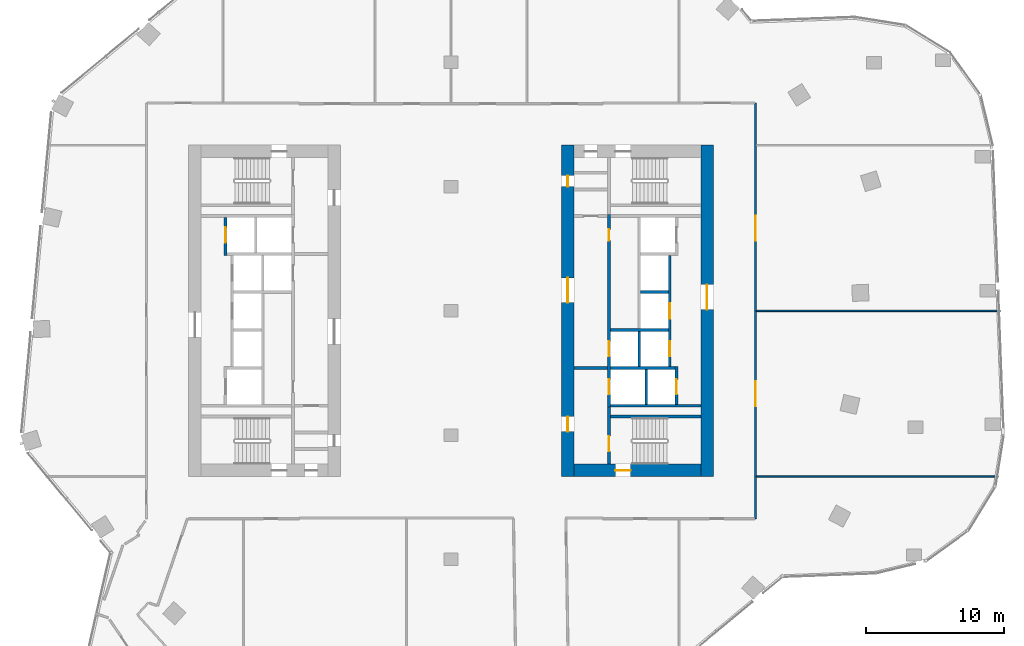
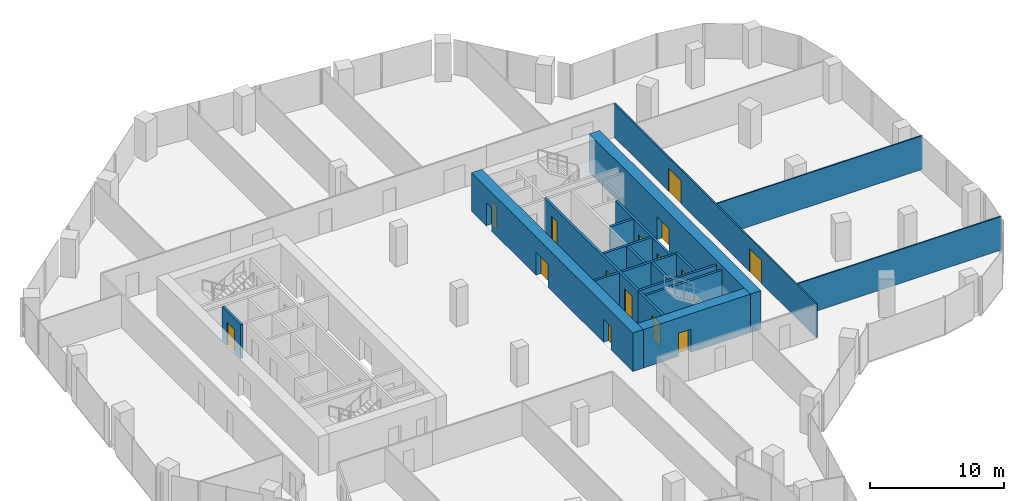
# One storey, part 21 of 24: 19 walls, 15 doors, 15 openings.
"""IFC4 building model written with IfcOpenShell, lengths in metres."""

from ifc_helpers import new_model, si_unit, direction, frame, frame_2d, origin, place, context, subcontext, project, spatial, rectangle, extrude, material, layer, layer_set, type_object, element, fill, save


model = new_model("IFC4")

# Units and contexts
model_context = context("Model", 3, precision=1e-05, world=origin(), true_north=direction((0.0, 1.0)))
body_context = subcontext(model_context, "Body", "Model", "MODEL_VIEW")
ifc_project = project(units=[si_unit("LENGTHUNIT", "METRE"), si_unit("AREAUNIT", "SQUARE_METRE"), si_unit("VOLUMEUNIT", "CUBIC_METRE"), si_unit("PLANEANGLEUNIT", "RADIAN"), si_unit("MASSUNIT", "GRAM", prefix="KILO")], contexts=[model_context])

# Site, building, storey
site_placement = place(None, origin())
site = spatial("IfcSite", under=ifc_project, at=site_placement, CompositionType="ELEMENT")
building_placement = place(site_placement, origin())
building = spatial("IfcBuilding", under=site, at=building_placement, Name="Orlundy Tower", CompositionType="ELEMENT")
storey_placement = place(building_placement, frame((0.0, 0.0, 174.10009765625)))
storey = spatial("IfcBuildingStorey", under=building, at=storey_placement, Name="L45", CompositionType="ELEMENT", Elevation=174.10009765625)

# Wall, opening, door
ifc_material_1 = material(Name="Concrete C70/85", Category="concrete")
ifc_layer_1 = layer(ifc_material_1, 0.89990234375)
ifc_layer_set_1 = layer_set([ifc_layer_1], Name="CORE WALL 900 C70/85")
wall_type_1 = type_object("IfcWallType", Name="CORE WALL 900 C70/85", PredefinedType="SHEAR", material=ifc_layer_set_1)
wall_1_placement = place(storey_placement, frame((8.89990234375, -11.550048828125, 0.0), z_axis=(0.0, 0.0, 1.0), x_axis=(1.0, 0.0, 0.0)))
wall_1 = element("IfcWall", 1, at=wall_1_placement, inside=storey, type_object=wall_type_1, Name="Core wall E-S L45", PredefinedType="SHEAR", context=body_context, shape_type="SweptSolid", body=[
    extrude(rectangle(XDim=9.2001953125, YDim=0.89990234375, at=frame_2d((4.60009765625, 0.0))), origin(), (0.0, 0.0, 1.0), 3.5),
])
opening_1_placement = place(wall_1_placement, frame((3.0, 0.0, 0.0)))
opening_1 = element("IfcOpeningElement", 2, at=opening_1_placement, cuts=wall_1, Name="Opening 35060", PredefinedType="OPENING", context=body_context, shape_type="SweptSolid", body=[
    extrude(rectangle(XDim=1.10009765625, YDim=2.10009765625, at=frame_2d((0.550048828125, 1.050048828125))), frame((0.0, 0.4599609375, 0.0), z_axis=(0.0, -1.0, 0.0), x_axis=(1.0, 0.0, 0.0)), (0.0, 0.0, 1.0), 0.919921875),
])
ifc_material_2 = material(Name="Steel door set", Category="steel")
door_type_1 = type_object("IfcDoorType", Name="Stair Door 1100x2100", OperationType="SINGLE_SWING_LEFT", PredefinedType="DOOR", material=ifc_material_2)
door_1_placement = place(opening_1_placement, origin())
door_1 = element("IfcDoor", 3, at=door_1_placement, inside=storey, type_object=door_type_1, Name="Stair door 35060", OperationType="SINGLE_SWING_LEFT", OverallHeight=2.10009765625, OverallWidth=1.10009765625, PredefinedType="DOOR", context=body_context, shape_type="SweptSolid", body=[
    extrude(rectangle(XDim=1.10009765625, YDim=2.10009765625, at=frame_2d((0.550048828125, 1.050048828125))), frame((0.0, 0.02490234375, 0.0), z_axis=(0.0, -1.0, 0.0), x_axis=(1.0, 0.0, 0.0)), (0.0, 0.0, 1.0), 0.050048828125),
])
fill(opening_1, door_1)

# Wall, openings, doors
wall_2_placement = place(storey_placement, frame((8.449951171875, -12.0, 0.0), z_axis=(0.0, 0.0, 1.0), x_axis=(0.0, 1.0, 0.0)))
wall_2 = element("IfcWall", 4, at=wall_2_placement, inside=storey, type_object=wall_type_1, Name="Core wall E-W L45", PredefinedType="SHEAR", context=body_context, shape_type="SweptSolid", body=[
    extrude(rectangle(XDim=24.0, YDim=0.89990234375, at=frame_2d((12.0, 0.0))), origin(), (0.0, 0.0, 1.0), 3.5),
])
opening_2_placement = place(wall_2_placement, frame((12.60009765625, 0.0, 0.0)))
opening_2 = element("IfcOpeningElement", 5, at=opening_2_placement, cuts=wall_2, Name="Opening 35057", PredefinedType="OPENING", context=body_context, shape_type="SweptSolid", body=[
    extrude(rectangle(XDim=1.800048828125, YDim=2.10009765625, at=frame_2d((0.89990234375, 1.050048828125))), frame((0.0, 0.4599609375, 0.0), z_axis=(0.0, -1.0, 0.0), x_axis=(1.0, 0.0, 0.0)), (0.0, 0.0, 1.0), 0.919921875),
])
opening_3_placement = place(wall_2_placement, frame((3.25, 0.0, 0.0)))
opening_3 = element("IfcOpeningElement", 6, at=opening_3_placement, cuts=wall_2, Name="Opening 35059", PredefinedType="OPENING", context=body_context, shape_type="SweptSolid", body=[
    extrude(rectangle(XDim=1.10009765625, YDim=2.10009765625, at=frame_2d((0.550048828125, 1.050048828125))), frame((0.0, 0.4599609375, 0.0), z_axis=(0.0, -1.0, 0.0), x_axis=(1.0, 0.0, 0.0)), (0.0, 0.0, 1.0), 0.919921875),
])
opening_4_placement = place(wall_2_placement, frame((21.0, 0.0, 0.0)))
opening_4 = element("IfcOpeningElement", 7, at=opening_4_placement, cuts=wall_2, Name="Opening 35064", PredefinedType="OPENING", context=body_context, shape_type="SweptSolid", body=[
    extrude(rectangle(XDim=0.800048828125, YDim=2.10009765625, at=frame_2d((0.39990234375, 1.050048828125))), frame((0.0, 0.4599609375, 0.0), z_axis=(0.0, -1.0, 0.0), x_axis=(1.0, 0.0, 0.0)), (0.0, 0.0, 1.0), 0.919921875),
])
ifc_material_3 = material(Name="Steel door set", Category="steel")
door_type_2 = type_object("IfcDoorType", Name="Fire-fighting Lobby Door 1100x2100", OperationType="SINGLE_SWING_LEFT", PredefinedType="DOOR", material=ifc_material_3)
door_2_placement = place(opening_3_placement, origin())
door_2 = element("IfcDoor", 8, at=door_2_placement, inside=storey, type_object=door_type_2, Name="Fire-fighting lobby door 35059", OperationType="SINGLE_SWING_LEFT", OverallHeight=2.10009765625, OverallWidth=1.10009765625, PredefinedType="DOOR", context=body_context, shape_type="SweptSolid", body=[
    extrude(rectangle(XDim=1.10009765625, YDim=2.10009765625, at=frame_2d((0.550048828125, 1.050048828125))), frame((0.0, 0.02490234375, 0.0), z_axis=(0.0, -1.0, 0.0), x_axis=(1.0, 0.0, 0.0)), (0.0, 0.0, 1.0), 0.050048828125),
])
fill(opening_3, door_2)
ifc_material_4 = material(Name="Timber door set", Category="wood")
door_type_3 = type_object("IfcDoorType", Name="Lobby Door 1800x2100", OperationType="DOUBLE_DOOR_DOUBLE_SWING", PredefinedType="DOOR", material=ifc_material_4)
door_3_placement = place(opening_2_placement, origin())
door_3 = element("IfcDoor", 9, at=door_3_placement, inside=storey, type_object=door_type_3, Name="Lift lobby door 35057", OperationType="SINGLE_SWING_RIGHT", OverallHeight=2.10009765625, OverallWidth=1.800048828125, PredefinedType="DOOR", context=body_context, shape_type="SweptSolid", body=[
    extrude(rectangle(XDim=1.800048828125, YDim=2.10009765625, at=frame_2d((0.89990234375, 1.050048828125))), frame((0.0, 0.02490234375, 0.0), z_axis=(0.0, -1.0, 0.0), x_axis=(1.0, 0.0, 0.0)), (0.0, 0.0, 1.0), 0.050048828125),
])
fill(opening_2, door_3)
ifc_material_5 = material(Name="Timber door set", Category="wood")
door_type_4 = type_object("IfcDoorType", Name="Riser Door 800x2100", OperationType="SINGLE_SWING_LEFT", PredefinedType="DOOR", material=ifc_material_5)
door_4_placement = place(opening_4_placement, origin())
door_4 = element("IfcDoor", 10, at=door_4_placement, inside=storey, type_object=door_type_4, Name="Door 35064", OperationType="SINGLE_SWING_RIGHT", OverallHeight=2.10009765625, OverallWidth=0.800048828125, PredefinedType="DOOR", context=body_context, shape_type="SweptSolid", body=[
    extrude(rectangle(XDim=0.800048828125, YDim=2.10009765625, at=frame_2d((0.39990234375, 1.050048828125))), frame((0.0, 0.02490234375, 0.0), z_axis=(0.0, -1.0, 0.0), x_axis=(1.0, 0.0, 0.0)), (0.0, 0.0, 1.0), 0.050048828125),
])
fill(opening_4, door_4)

# Wall, opening, door
wall_3_placement = place(storey_placement, frame((18.550048828125, -12.0, 0.0), z_axis=(0.0, 0.0, 1.0), x_axis=(0.0, 1.0, 0.0)))
wall_3 = element("IfcWall", 11, at=wall_3_placement, inside=storey, type_object=wall_type_1, Name="Core wall E-E L45", PredefinedType="SHEAR", context=body_context, shape_type="SweptSolid", body=[
    extrude(rectangle(XDim=24.0, YDim=0.89990234375, at=frame_2d((12.0, 0.0))), origin(), (0.0, 0.0, 1.0), 3.5),
])
opening_5_placement = place(wall_3_placement, frame((12.10009765625, 0.0, 0.0)))
opening_5 = element("IfcOpeningElement", 12, at=opening_5_placement, cuts=wall_3, Name="Opening 35058", PredefinedType="OPENING", context=body_context, shape_type="SweptSolid", body=[
    extrude(rectangle(XDim=1.800048828125, YDim=2.10009765625, at=frame_2d((0.89990234375, 1.050048828125))), frame((0.0, 0.4599609375, 0.0), z_axis=(0.0, -1.0, 0.0), x_axis=(1.0, 0.0, 0.0)), (0.0, 0.0, 1.0), 0.919921875),
])
door_5_placement = place(opening_5_placement, origin())
door_5 = element("IfcDoor", 13, at=door_5_placement, inside=storey, type_object=door_type_3, Name="Lift lobby door 35058", OperationType="SINGLE_SWING_RIGHT", OverallHeight=2.10009765625, OverallWidth=1.800048828125, PredefinedType="DOOR", context=body_context, shape_type="SweptSolid", body=[
    extrude(rectangle(XDim=1.800048828125, YDim=2.10009765625, at=frame_2d((0.89990234375, 1.050048828125))), frame((0.0, 0.02490234375, 0.0), z_axis=(0.0, -1.0, 0.0), x_axis=(1.0, 0.0, 0.0)), (0.0, 0.0, 1.0), 0.050048828125),
])
fill(opening_5, door_5)

# Walls
ifc_material_6 = material(Name="Gypsum board partition")
ifc_layer_2 = layer(ifc_material_6, 0.10009765625)
ifc_layer_set_2 = layer_set([ifc_layer_2], Name="Floor partition 100")
wall_type_2 = type_object("IfcWallType", Name="Floor partition 100", PredefinedType="PARTITIONING", material=ifc_layer_set_2)
wall_4_placement = place(storey_placement, frame((22.113037109375, -12.0, 0.0), z_axis=(0.0, 0.0, 1.0), x_axis=(1.0, 0.0, 0.0)))
element("IfcWall", 14, at=wall_4_placement, inside=storey, type_object=wall_type_2, Name="wall-int-L45-042", PredefinedType="PARTITIONING", context=body_context, shape_type="SweptSolid", body=[
    extrude(rectangle(XDim=17.530029296875, YDim=0.10009765625, at=frame_2d((8.76513671875, 0.0))), origin(), (0.0, 0.0, 1.0), 3.059814453125),
])
wall_5_placement = place(storey_placement, frame((22.113037109375, 0.0, 0.0), z_axis=(0.0, 0.0, 1.0), x_axis=(1.0, 0.0, 0.0)))
element("IfcWall", 15, at=wall_5_placement, inside=storey, type_object=wall_type_2, Name="wall-int-L45-043", PredefinedType="PARTITIONING", context=body_context, shape_type="SweptSolid", body=[
    extrude(rectangle(XDim=17.666015625, YDim=0.10009765625, at=frame_2d((8.8330078125, 0.0))), origin(), (0.0, 0.0, 1.0), 3.059814453125),
])

# Wall, openings, doors
ifc_material_7 = material(Name="Gypsum board partition, double layer")
ifc_layer_3 = layer(ifc_material_7, 0.125)
ifc_layer_set_3 = layer_set([ifc_layer_3], Name="Floor partition 125")
wall_type_3 = type_object("IfcWallType", Name="Floor partition 125", PredefinedType="PARTITIONING", material=ifc_layer_set_3)
wall_6_placement = place(storey_placement, frame((22.051025390625, 15.050048828125, 0.0), z_axis=(0.0, 0.0, 1.0), x_axis=(0.0, -1.0, 0.0)))
wall_6 = element("IfcWall", 16, at=wall_6_placement, inside=storey, type_object=wall_type_3, Name="wall-int-L45-070", PredefinedType="PARTITIONING", context=body_context, shape_type="SweptSolid", body=[
    extrude(rectangle(XDim=30.10009765625, YDim=0.125, at=frame_2d((15.050048828125, 0.0))), origin(), (0.0, 0.0, 1.0), 3.059814453125),
])
opening_6_placement = place(wall_6_placement, frame((20.14990234375, 0.0, 0.0)))
opening_6 = element("IfcOpeningElement", 17, at=opening_6_placement, cuts=wall_6, Name="Opening 35119", PredefinedType="OPENING", context=body_context, shape_type="SweptSolid", body=[
    extrude(rectangle(XDim=1.800048828125, YDim=2.10009765625, at=frame_2d((0.89990234375, 1.050048828125))), frame((0.0, 0.072509765625, 0.0), z_axis=(0.0, -1.0, 0.0), x_axis=(1.0, 0.0, 0.0)), (0.0, 0.0, 1.0), 0.14501953125),
])
opening_7_placement = place(wall_6_placement, frame((8.14990234375, 0.0, 0.0)))
opening_7 = element("IfcOpeningElement", 18, at=opening_7_placement, cuts=wall_6, Name="Opening 35120", PredefinedType="OPENING", context=body_context, shape_type="SweptSolid", body=[
    extrude(rectangle(XDim=1.800048828125, YDim=2.10009765625, at=frame_2d((0.89990234375, 1.050048828125))), frame((0.0, 0.072509765625, 0.0), z_axis=(0.0, -1.0, 0.0), x_axis=(1.0, 0.0, 0.0)), (0.0, 0.0, 1.0), 0.14501953125),
])
ifc_material_8 = material(Name="Timber door leaf", Category="wood")
door_type_5 = type_object("IfcDoorType", Name="Floor door double 1800 FD30S", OperationType="NOTDEFINED", PredefinedType="DOOR", material=ifc_material_8)
door_6_placement = place(opening_6_placement, origin())
door_6 = element("IfcDoor", 19, at=door_6_placement, inside=storey, type_object=door_type_5, Name="Door 35119", OperationType="DOUBLE_DOOR_SINGLE_SWING", OverallHeight=2.10009765625, OverallWidth=1.800048828125, PredefinedType="DOOR", context=body_context, shape_type="SweptSolid", body=[
    extrude(rectangle(XDim=1.800048828125, YDim=2.10009765625, at=frame_2d((0.89990234375, 1.050048828125))), frame((0.0, 0.02490234375, 0.0), z_axis=(0.0, -1.0, 0.0), x_axis=(1.0, 0.0, 0.0)), (0.0, 0.0, 1.0), 0.050048828125),
])
fill(opening_6, door_6)
door_7_placement = place(opening_7_placement, origin())
door_7 = element("IfcDoor", 20, at=door_7_placement, inside=storey, type_object=door_type_5, Name="Door 35120", OperationType="DOUBLE_DOOR_SINGLE_SWING", OverallHeight=2.10009765625, OverallWidth=1.800048828125, PredefinedType="DOOR", context=body_context, shape_type="SweptSolid", body=[
    extrude(rectangle(XDim=1.800048828125, YDim=2.10009765625, at=frame_2d((0.89990234375, 1.050048828125))), frame((0.0, 0.02490234375, 0.0), z_axis=(0.0, -1.0, 0.0), x_axis=(1.0, 0.0, 0.0)), (0.0, 0.0, 1.0), 0.050048828125),
])
fill(opening_7, door_7)

# Wall, opening, door
ifc_material_9 = material(Name="Concrete C40/50", Category="concrete")
ifc_layer_4 = layer(ifc_material_9, 0.199951171875)
ifc_layer_set_4 = layer_set([ifc_layer_4], Name="Load-bearing Shaft Wall 200")
wall_type_4 = type_object("IfcWallType", Name="Load-bearing Shaft Wall 200", PredefinedType="SOLIDWALL", material=ifc_layer_set_4)
wall_7_placement = place(storey_placement, frame((11.43994140625, -6.97509765625, 0.0), z_axis=(0.0, 0.0, 1.0), x_axis=(0.0, -1.0, 0.0)))
wall_7 = element("IfcWall", 21, at=wall_7_placement, inside=storey, type_object=wall_type_4, Name="Shaft wall E35-stair-end-n", PredefinedType="SOLIDWALL", context=body_context, shape_type="SweptSolid", body=[
    extrude(rectangle(XDim=4.125, YDim=0.199951171875, at=frame_2d((2.0625, 0.0))), origin(), (0.0, 0.0, 1.0), 3.079833984375),
])
opening_8_placement = place(wall_7_placement, frame((2.10009765625, 0.0, 0.0)))
opening_8 = element("IfcOpeningElement", 22, at=opening_8_placement, cuts=wall_7, Name="Opening 35062", PredefinedType="OPENING", context=body_context, shape_type="SweptSolid", body=[
    extrude(rectangle(XDim=1.10009765625, YDim=2.10009765625, at=frame_2d((0.550048828125, 1.050048828125))), frame((0.0, 0.110107421875, 0.0), z_axis=(0.0, -1.0, 0.0), x_axis=(1.0, 0.0, 0.0)), (0.0, 0.0, 1.0), 0.22021484375),
])
door_8_placement = place(opening_8_placement, origin())
door_8 = element("IfcDoor", 23, at=door_8_placement, inside=storey, type_object=door_type_2, Name="Fire-fighting lobby to stair door 35062", OperationType="SINGLE_SWING_RIGHT", OverallHeight=2.10009765625, OverallWidth=1.10009765625, PredefinedType="DOOR", context=body_context, shape_type="SweptSolid", body=[
    extrude(rectangle(XDim=1.10009765625, YDim=2.10009765625, at=frame_2d((0.550048828125, 1.050048828125))), frame((0.0, 0.02490234375, 0.0), z_axis=(0.0, -1.0, 0.0), x_axis=(1.0, 0.0, 0.0)), (0.0, 0.0, 1.0), 0.050048828125),
])
fill(opening_8, door_8)

# Walls
wall_8_placement = place(storey_placement, frame((11.5400390625, -7.64990234375, 0.0), z_axis=(0.0, 0.0, 1.0), x_axis=(1.0, 0.0, 0.0)))
element("IfcWall", 24, at=wall_8_placement, inside=storey, type_object=wall_type_4, Name="Shaft wall E35-stair-side-n", PredefinedType="SOLIDWALL", context=body_context, shape_type="SweptSolid", body=[
    extrude(rectangle(XDim=6.56005859375, YDim=0.199951171875, at=frame_2d((3.280029296875, 0.0))), origin(), (0.0, 0.0, 1.0), 3.079833984375),
])
ifc_material_10 = material(Name="Gypsum board partition on steel studs", Category="steel")
ifc_layer_5 = layer(ifc_material_10, 0.199951171875)
ifc_layer_set_5 = layer_set([ifc_layer_5], Name="Partition 200")
wall_type_5 = type_object("IfcWallType", Name="Partition 200", PredefinedType="PARTITIONING", material=ifc_layer_set_5)
wall_9_placement = place(storey_placement, frame((8.89990234375, -4.125, 0.0), z_axis=(0.0, 0.0, 1.0), x_axis=(1.0, 0.0, 0.0)))
element("IfcWall", 25, at=wall_9_placement, inside=storey, type_object=wall_type_5, Name="Partition wall E35-lobby-n", PredefinedType="PARTITIONING", context=body_context, shape_type="SweptSolid", body=[
    extrude(rectangle(XDim=2.440185546875, YDim=0.199951171875, at=frame_2d((1.22021484375, 0.0))), origin(), (0.0, 0.0, 1.0), 3.079833984375),
])

# Wall, opening, door
ifc_material_11 = material(Name="Fire-rated blockwork shaft wall", Category="masonry")
ifc_layer_6 = layer(ifc_material_11, 0.199951171875)
ifc_layer_set_6 = layer_set([ifc_layer_6], Name="Shaft Wall 200")
wall_type_6 = type_object("IfcWallType", Name="Shaft Wall 200", PredefinedType="SOLIDWALL", material=ifc_layer_set_6)
wall_10_placement = place(storey_placement, frame((-16.340087890625, 4.02490234375, 0.0), z_axis=(0.0, 0.0, 1.0), x_axis=(0.0, 1.0, 0.0)))
wall_10 = element("IfcWall", 26, at=wall_10_placement, inside=storey, type_object=wall_type_6, Name="Shaft wall W35-front-o-c", PredefinedType="SOLIDWALL", context=body_context, shape_type="SweptSolid", body=[
    extrude(rectangle(XDim=2.75, YDim=0.199951171875, at=frame_2d((1.375, 0.0))), origin(), (0.0, 0.0, 1.0), 3.079833984375),
])
opening_9_placement = place(wall_10_placement, frame((0.925048828125, 0.0, 0.0)))
opening_9 = element("IfcOpeningElement", 27, at=opening_9_placement, cuts=wall_10, Name="Opening 35006", PredefinedType="OPENING", context=body_context, shape_type="SweptSolid", body=[
    extrude(rectangle(XDim=1.10009765625, YDim=2.10009765625, at=frame_2d((0.550048828125, 1.050048828125))), frame((0.0, 0.110107421875, 0.0), z_axis=(0.0, -1.0, 0.0), x_axis=(1.0, 0.0, 0.0)), (0.0, 0.0, 1.0), 0.22021484375),
])
ifc_material_12 = material(Name="Steel door set", Category="steel")
door_type_6 = type_object("IfcDoorType", Name="Landing Door 1100x2100", OperationType="DOUBLE_DOOR_SLIDING", PredefinedType="DOOR", material=ifc_material_12)
door_9_placement = place(opening_9_placement, origin())
door_9 = element("IfcDoor", 28, at=door_9_placement, inside=storey, type_object=door_type_6, Name="Lift landing door LP-14 35006", OperationType="DOUBLE_DOOR_SLIDING", OverallHeight=2.10009765625, OverallWidth=1.10009765625, PredefinedType="DOOR", context=body_context, shape_type="SweptSolid", body=[
    extrude(rectangle(XDim=1.10009765625, YDim=2.10009765625, at=frame_2d((0.550048828125, 1.050048828125))), frame((0.0, 0.02490234375, 0.0), z_axis=(0.0, -1.0, 0.0), x_axis=(1.0, 0.0, 0.0)), (0.0, 0.0, 1.0), 0.050048828125),
])
fill(opening_9, door_9)

# Walls
wall_11_placement = place(storey_placement, frame((11.5400390625, -6.875, 0.0), z_axis=(0.0, 0.0, 1.0), x_axis=(1.0, 0.0, 0.0)))
element("IfcWall", 29, at=wall_11_placement, inside=storey, type_object=wall_type_6, Name="Shaft wall E35-zone-n", PredefinedType="SOLIDWALL", context=body_context, shape_type="SweptSolid", body=[
    extrude(rectangle(XDim=6.56005859375, YDim=0.199951171875, at=frame_2d((3.280029296875, 0.0))), origin(), (0.0, 0.0, 1.0), 3.079833984375),
])
wall_12_placement = place(storey_placement, frame((13.739990234375, 1.375, 0.0), z_axis=(0.0, 0.0, 1.0), x_axis=(1.0, 0.0, 0.0)))
element("IfcWall", 30, at=wall_12_placement, inside=storey, type_object=wall_type_6, Name="Shaft wall E35-cross-1.375", PredefinedType="SOLIDWALL", context=body_context, shape_type="SweptSolid", body=[
    extrude(rectangle(XDim=2.0, YDim=0.199951171875, at=frame_2d((1.0, 0.0))), origin(), (0.0, 0.0, 1.0), 3.079833984375),
])
wall_13_placement = place(storey_placement, frame((11.5400390625, -1.375, 0.0), z_axis=(0.0, 0.0, 1.0), x_axis=(1.0, 0.0, 0.0)))
element("IfcWall", 31, at=wall_13_placement, inside=storey, type_object=wall_type_6, Name="Shaft wall E35-cross+1.375", PredefinedType="SOLIDWALL", context=body_context, shape_type="SweptSolid", body=[
    extrude(rectangle(XDim=4.199951171875, YDim=0.199951171875, at=frame_2d((2.10009765625, 0.0))), origin(), (0.0, 0.0, 1.0), 3.079833984375),
])
wall_14_placement = place(storey_placement, frame((11.5400390625, -4.125, 0.0), z_axis=(0.0, 0.0, 1.0), x_axis=(1.0, 0.0, 0.0)))
element("IfcWall", 32, at=wall_14_placement, inside=storey, type_object=wall_type_6, Name="Shaft wall E35-cross+4.125", PredefinedType="SOLIDWALL", context=body_context, shape_type="SweptSolid", body=[
    extrude(rectangle(XDim=4.699951171875, YDim=0.199951171875, at=frame_2d((2.35009765625, 0.0))), origin(), (0.0, 0.0, 1.0), 3.079833984375),
])

# Wall, openings, doors
wall_15_placement = place(storey_placement, frame((11.43994140625, 6.97509765625, 0.0), z_axis=(0.0, 0.0, 1.0), x_axis=(0.0, -1.0, 0.0)))
wall_15 = element("IfcWall", 33, at=wall_15_placement, inside=storey, type_object=wall_type_6, Name="Shaft wall E35-front-h", PredefinedType="SOLIDWALL", context=body_context, shape_type="SweptSolid", body=[
    extrude(rectangle(XDim=13.9501953125, YDim=0.199951171875, at=frame_2d((6.97509765625, 0.0))), origin(), (0.0, 0.0, 1.0), 3.079833984375),
])
opening_10_placement = place(wall_15_placement, frame((9.175048828125, 0.0, 0.0)))
opening_10 = element("IfcOpeningElement", 34, at=opening_10_placement, cuts=wall_15, Name="Opening 35052", PredefinedType="OPENING", context=body_context, shape_type="SweptSolid", body=[
    extrude(rectangle(XDim=1.10009765625, YDim=2.10009765625, at=frame_2d((0.550048828125, 1.050048828125))), frame((0.0, 0.110107421875, 0.0), z_axis=(0.0, -1.0, 0.0), x_axis=(1.0, 0.0, 0.0)), (0.0, 0.0, 1.0), 0.22021484375),
])
opening_11_placement = place(wall_15_placement, frame((11.925048828125, 0.0, 0.0)))
opening_11 = element("IfcOpeningElement", 35, at=opening_11_placement, cuts=wall_15, Name="Opening 35054", PredefinedType="OPENING", context=body_context, shape_type="SweptSolid", body=[
    extrude(rectangle(XDim=1.10009765625, YDim=2.10009765625, at=frame_2d((0.550048828125, 1.050048828125))), frame((0.0, 0.110107421875, 0.0), z_axis=(0.0, -1.0, 0.0), x_axis=(1.0, 0.0, 0.0)), (0.0, 0.0, 1.0), 0.22021484375),
])
opening_12_placement = place(wall_15_placement, frame((1.074951171875, 0.0, 0.0)))
opening_12 = element("IfcOpeningElement", 36, at=opening_12_placement, cuts=wall_15, Name="Opening 35056", PredefinedType="OPENING", context=body_context, shape_type="SweptSolid", body=[
    extrude(rectangle(XDim=0.800048828125, YDim=2.10009765625, at=frame_2d((0.39990234375, 1.050048828125))), frame((0.0, 0.110107421875, 0.0), z_axis=(0.0, -1.0, 0.0), x_axis=(1.0, 0.0, 0.0)), (0.0, 0.0, 1.0), 0.22021484375),
])
door_10_placement = place(opening_10_placement, origin())
door_10 = element("IfcDoor", 37, at=door_10_placement, inside=storey, type_object=door_type_6, Name="Lift landing door LP-16 35052", OperationType="DOUBLE_DOOR_SLIDING", OverallHeight=2.10009765625, OverallWidth=1.10009765625, PredefinedType="DOOR", context=body_context, shape_type="SweptSolid", body=[
    extrude(rectangle(XDim=1.10009765625, YDim=2.10009765625, at=frame_2d((0.550048828125, 1.050048828125))), frame((0.0, 0.02490234375, 0.0), z_axis=(0.0, -1.0, 0.0), x_axis=(1.0, 0.0, 0.0)), (0.0, 0.0, 1.0), 0.050048828125),
])
fill(opening_10, door_10)
door_11_placement = place(opening_11_placement, origin())
door_11 = element("IfcDoor", 38, at=door_11_placement, inside=storey, type_object=door_type_6, Name="Lift landing door FL2 35054", OperationType="DOUBLE_DOOR_SLIDING", OverallHeight=2.10009765625, OverallWidth=1.10009765625, PredefinedType="DOOR", context=body_context, shape_type="SweptSolid", body=[
    extrude(rectangle(XDim=1.10009765625, YDim=2.10009765625, at=frame_2d((0.550048828125, 1.050048828125))), frame((0.0, 0.02490234375, 0.0), z_axis=(0.0, -1.0, 0.0), x_axis=(1.0, 0.0, 0.0)), (0.0, 0.0, 1.0), 0.050048828125),
])
fill(opening_11, door_11)
door_12_placement = place(opening_12_placement, origin())
door_12 = element("IfcDoor", 39, at=door_12_placement, inside=storey, type_object=door_type_4, Name="Telecom Room door 35056", OperationType="SINGLE_SWING_LEFT", OverallHeight=2.10009765625, OverallWidth=0.800048828125, PredefinedType="DOOR", context=body_context, shape_type="SweptSolid", body=[
    extrude(rectangle(XDim=0.800048828125, YDim=2.10009765625, at=frame_2d((0.39990234375, 1.050048828125))), frame((0.0, 0.02490234375, 0.0), z_axis=(0.0, -1.0, 0.0), x_axis=(1.0, 0.0, 0.0)), (0.0, 0.0, 1.0), 0.050048828125),
])
fill(opening_12, door_12)

# Walls
for number, where, z_axis, x_axis, name in (
    (40, (13.639892578125, -1.47509765625, 0.0), (0.0, 0.0, 1.0), (0.0, -1.0, 0.0), "Shaft wall E35-mid-a.1"),
    (41, (14.139892578125, -4.22509765625, 0.0), (0.0, 0.0, 1.0), (0.0, -1.0, 0.0), "Shaft wall E35-mid-b"),
):
    element("IfcWall", number, at=place(storey_placement, frame(where, z_axis=z_axis, x_axis=x_axis)), inside=storey, type_object=wall_type_6, Name=name, PredefinedType="SOLIDWALL", context=body_context, shape_type="SweptSolid", body=[
        extrude(rectangle(XDim=2.5498046875, YDim=0.199951171875, at=frame_2d((1.27490234375, 0.0))), origin(), (0.0, 0.0, 1.0), 3.079833984375),
    ])

# Wall, openings, doors
wall_16_placement = place(storey_placement, frame((15.840087890625, 4.02490234375, 0.0), z_axis=(0.0, 0.0, 1.0), x_axis=(0.0, -1.0, 0.0)))
wall_16 = element("IfcWall", 42, at=wall_16_placement, inside=storey, type_object=wall_type_6, Name="Shaft wall E35-front-o-b", PredefinedType="SOLIDWALL", context=body_context, shape_type="SweptSolid", body=[
    extrude(rectangle(XDim=8.0498046875, YDim=0.199951171875, at=frame_2d((4.02490234375, 0.0))), origin(), (0.0, 0.0, 1.0), 3.079833984375),
])
opening_13_placement = place(wall_16_placement, frame((3.47509765625, 0.0, 0.0)))
opening_13 = element("IfcOpeningElement", 43, at=opening_13_placement, cuts=wall_16, Name="Opening 35051", PredefinedType="OPENING", context=body_context, shape_type="SweptSolid", body=[
    extrude(rectangle(XDim=1.10009765625, YDim=2.10009765625, at=frame_2d((0.550048828125, 1.050048828125))), frame((0.0, 0.110107421875, 0.0), z_axis=(0.0, -1.0, 0.0), x_axis=(1.0, 0.0, 0.0)), (0.0, 0.0, 1.0), 0.22021484375),
])
opening_14_placement = place(wall_16_placement, frame((6.22509765625, 0.0, 0.0)))
opening_14 = element("IfcOpeningElement", 44, at=opening_14_placement, cuts=wall_16, Name="Opening 35053", PredefinedType="OPENING", context=body_context, shape_type="SweptSolid", body=[
    extrude(rectangle(XDim=1.10009765625, YDim=2.10009765625, at=frame_2d((0.550048828125, 1.050048828125))), frame((0.0, 0.110107421875, 0.0), z_axis=(0.0, -1.0, 0.0), x_axis=(1.0, 0.0, 0.0)), (0.0, 0.0, 1.0), 0.22021484375),
])
door_13_placement = place(opening_13_placement, origin())
door_13 = element("IfcDoor", 45, at=door_13_placement, inside=storey, type_object=door_type_6, Name="Lift landing door LP-15 35051", OperationType="DOUBLE_DOOR_SLIDING", OverallHeight=2.10009765625, OverallWidth=1.10009765625, PredefinedType="DOOR", context=body_context, shape_type="SweptSolid", body=[
    extrude(rectangle(XDim=1.10009765625, YDim=2.10009765625, at=frame_2d((0.550048828125, 1.050048828125))), frame((0.0, 0.02490234375, 0.0), z_axis=(0.0, -1.0, 0.0), x_axis=(1.0, 0.0, 0.0)), (0.0, 0.0, 1.0), 0.050048828125),
])
fill(opening_13, door_13)
door_14_placement = place(opening_14_placement, origin())
door_14 = element("IfcDoor", 46, at=door_14_placement, inside=storey, type_object=door_type_6, Name="Lift landing door LP-17 35053", OperationType="DOUBLE_DOOR_SLIDING", OverallHeight=2.10009765625, OverallWidth=1.10009765625, PredefinedType="DOOR", context=body_context, shape_type="SweptSolid", body=[
    extrude(rectangle(XDim=1.10009765625, YDim=2.10009765625, at=frame_2d((0.550048828125, 1.050048828125))), frame((0.0, 0.02490234375, 0.0), z_axis=(0.0, -1.0, 0.0), x_axis=(1.0, 0.0, 0.0)), (0.0, 0.0, 1.0), 0.050048828125),
])
fill(opening_14, door_14)

# Wall, opening, door
wall_17_placement = place(storey_placement, frame((16.340087890625, -4.02490234375, 0.0), z_axis=(0.0, 0.0, 1.0), x_axis=(0.0, -1.0, 0.0)))
wall_17 = element("IfcWall", 47, at=wall_17_placement, inside=storey, type_object=wall_type_6, Name="Shaft wall E35-front-o-c", PredefinedType="SOLIDWALL", context=body_context, shape_type="SweptSolid", body=[
    extrude(rectangle(XDim=2.75, YDim=0.199951171875, at=frame_2d((1.375, 0.0))), origin(), (0.0, 0.0, 1.0), 3.079833984375),
])
opening_15_placement = place(wall_17_placement, frame((0.925048828125, 0.0, 0.0)))
opening_15 = element("IfcOpeningElement", 48, at=opening_15_placement, cuts=wall_17, Name="Opening 35055", PredefinedType="OPENING", context=body_context, shape_type="SweptSolid", body=[
    extrude(rectangle(XDim=1.10009765625, YDim=2.10009765625, at=frame_2d((0.550048828125, 1.050048828125))), frame((0.0, 0.110107421875, 0.0), z_axis=(0.0, -1.0, 0.0), x_axis=(1.0, 0.0, 0.0)), (0.0, 0.0, 1.0), 0.22021484375),
])
door_15_placement = place(opening_15_placement, origin())
door_15 = element("IfcDoor", 49, at=door_15_placement, inside=storey, type_object=door_type_6, Name="Lift landing door LP-18 35055", OperationType="DOUBLE_DOOR_SLIDING", OverallHeight=2.10009765625, OverallWidth=1.10009765625, PredefinedType="DOOR", context=body_context, shape_type="SweptSolid", body=[
    extrude(rectangle(XDim=1.10009765625, YDim=2.10009765625, at=frame_2d((0.550048828125, 1.050048828125))), frame((0.0, 0.02490234375, 0.0), z_axis=(0.0, -1.0, 0.0), x_axis=(1.0, 0.0, 0.0)), (0.0, 0.0, 1.0), 0.050048828125),
])
fill(opening_15, door_15)

save(model, "model.ifc")
